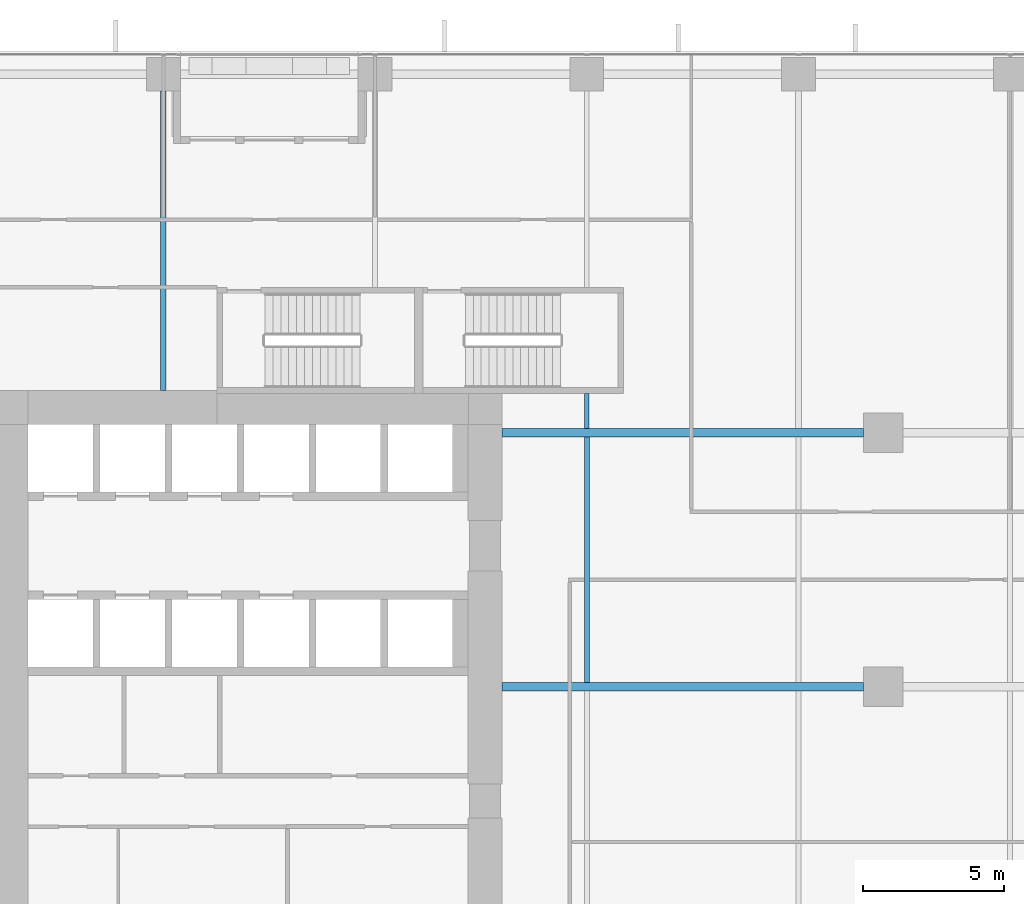
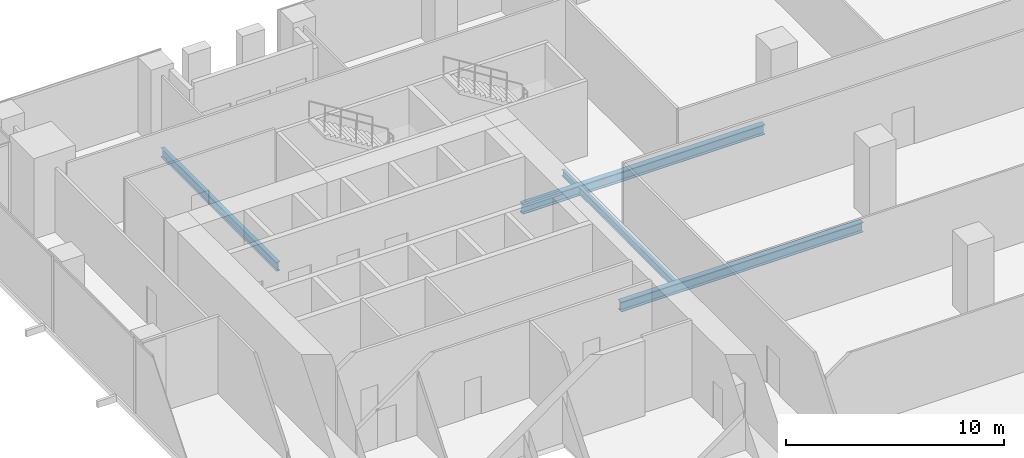
# One storey, part 13 of 32: 5 beams.
"""IFC4 building model written with IfcOpenShell, lengths in metres."""

import ifcopenshell
import ifcopenshell.guid

model = None  # the IFC model being written
_history = None  # IfcOwnerHistory: only IFC2X3 demands one
_inside = {}  # id of a spatial element -> (the spatial element, [elements in it])
_under = {}  # id of a project, library or spatial element -> (it, [spatial elements below it])
_declared = {}  # id of a project -> (the project, [libraries it declares])
_typed = {}  # id of a type object -> (the type object, [elements of that type])
_made_of = {}  # id of a material, layer set ... -> (it, [elements and type objects made of it])


def new_model(schema):
    """Start an empty IFC model of exactly this schema.

    Asked for "IFC4X3", IfcOpenShell would pick the latest addendum, in which some entities
    have other attributes; the version numbers below select the first issue.
    IFC2X3 requires an IfcOwnerHistory on every rooted entity: one is made here for all.
    """
    global model, _history
    if schema == "IFC4X3":
        model = ifcopenshell.file(schema_version=(4, 3, 0, 0))
    else:
        model = ifcopenshell.file(schema=schema)
    _inside.clear()
    _under.clear()
    _declared.clear()
    _typed.clear()
    _made_of.clear()
    _history = None
    if model.schema == "IFC2X3":
        org = make("IfcOrganization", Name="unknown")
        user = make(
            "IfcPersonAndOrganization",
            ThePerson=make("IfcPerson", FamilyName="unknown"),
            TheOrganization=org,
        )
        app = make(
            "IfcApplication",
            ApplicationDeveloper=org,
            Version="unknown",
            ApplicationFullName="unknown",
            ApplicationIdentifier="unknown",
        )
        _history = make(
            "IfcOwnerHistory",
            OwningUser=user,
            OwningApplication=app,
            ChangeAction="ADDED",
            CreationDate=0,
        )
    return model


def make(cls, **values):
    """One entity of the class cls with the attributes given. An attribute that is None is left unset."""
    return model.create_entity(
        cls, **{name: value for name, value in values.items() if value is not None}
    )


def rooted(cls, **values):
    """An entity with a GlobalId (a new one), such as an element, a storey or a relation."""
    return make(cls, GlobalId=ifcopenshell.guid.new(), OwnerHistory=_history, **values)


def si_unit(unit_type, name, prefix=None):
    """IfcSIUnit, for example si_unit("LENGTHUNIT", "METRE", prefix="MILLI")."""
    return make("IfcSIUnit", UnitType=unit_type, Prefix=prefix, Name=name)


def assignment(units):
    """IfcUnitAssignment: the units of a project."""
    return None if units is None else make("IfcUnitAssignment", Units=units)


def point(xyz):
    """IfcCartesianPoint."""
    return None if xyz is None else make("IfcCartesianPoint", Coordinates=xyz)


def direction(xyz):
    """IfcDirection."""
    return None if xyz is None else make("IfcDirection", DirectionRatios=xyz)


def frame(location, z_axis=None, x_axis=None):
    """IfcAxis2Placement3D, a coordinate frame: its origin and axes. An axis left out is left unset."""
    return make(
        "IfcAxis2Placement3D",
        Location=point(location),
        Axis=direction(z_axis),
        RefDirection=direction(x_axis),
    )


def frame_2d(location, x_axis=None):
    """IfcAxis2Placement2D, a coordinate frame in the plane: its origin and x axis."""
    return make(
        "IfcAxis2Placement2D", Location=point(location), RefDirection=direction(x_axis)
    )


def origin():
    """The frame at (0, 0, 0) with its axes left unset."""
    return frame((0.0, 0.0, 0.0))


def origin_2d():
    """The frame at (0, 0) in the plane with its x axis left unset."""
    return frame_2d((0.0, 0.0))


def place(relative_to, where):
    """IfcLocalPlacement: puts the frame where relative to a parent placement (None: the world)."""
    return make(
        "IfcLocalPlacement", PlacementRelTo=relative_to, RelativePlacement=where
    )


def context(
    kind, dimensions, precision=None, world=None, true_north=None, identifier=None
):
    """IfcGeometricRepresentationContext, for example the 3D "Model" context."""
    return make(
        "IfcGeometricRepresentationContext",
        ContextIdentifier=identifier,
        ContextType=kind,
        CoordinateSpaceDimension=dimensions,
        Precision=precision,
        WorldCoordinateSystem=world,
        TrueNorth=true_north,
    )


def subcontext(parent, identifier, kind, view, scale=None):
    """IfcGeometricRepresentationSubContext, for example "Body" below "Model"."""
    return make(
        "IfcGeometricRepresentationSubContext",
        ContextIdentifier=identifier,
        ContextType=kind,
        ParentContext=parent,
        TargetScale=scale,
        TargetView=view,
    )


def project(units=None, contexts=None):
    """IfcProject with its units and contexts."""
    return rooted(
        "IfcProject",
        Name="project",
        RepresentationContexts=contexts,
        UnitsInContext=assignment(units),
    )


def spatial(cls, under=None, at=None, **own):
    """A site, building, storey or space (cls), placed at a placement, below another one or the project."""
    s = rooted(cls, ObjectPlacement=at, **own)
    if under is not None:
        _under.setdefault(under.id(), (under, []))[1].append(s)
    return s


def profile(cls, at=None, kind="AREA", **sizes):
    """A parametric profile (cls). Its sizes go by their IFC names, for example OverallWidth=200.0."""
    return make(cls, ProfileType=kind, Position=at, **sizes)


def i_section(**sizes):
    """IfcIShapeProfileDef."""
    return profile("IfcIShapeProfileDef", **sizes)


def extrude(swept, where, along, depth):
    """IfcExtrudedAreaSolid: the profile swept, set in the frame where, extruded along a direction by depth."""
    return make(
        "IfcExtrudedAreaSolid",
        SweptArea=swept,
        Position=where,
        ExtrudedDirection=direction(along),
        Depth=depth,
    )


def shape(context_of_items, identifier, shape_type, items):
    """IfcShapeRepresentation: the items that make up one representation, for example the "Body"."""
    return make(
        "IfcShapeRepresentation",
        ContextOfItems=context_of_items,
        RepresentationIdentifier=identifier,
        RepresentationType=shape_type,
        Items=items,
    )


def source(mapping_origin, context_of_items, identifier, shape_type, items):
    """IfcRepresentationMap: a shape defined once, which mapped items show again and again."""
    return make(
        "IfcRepresentationMap",
        MappingOrigin=mapping_origin,
        MappedRepresentation=shape(context_of_items, identifier, shape_type, items),
    )


def transform(
    local_origin,
    x_axis=None,
    y_axis=None,
    z_axis=None,
    scale=None,
    scale2=None,
    scale3=None,
    uniform=True,
):
    """IfcCartesianTransformationOperator3D, or its non-uniform kind. x_axis, y_axis, z_axis: its Axis1, 2, 3."""
    if uniform:
        return make(
            "IfcCartesianTransformationOperator3D",
            Axis1=direction(x_axis),
            Axis2=direction(y_axis),
            LocalOrigin=point(local_origin),
            Scale=scale,
            Axis3=direction(z_axis),
        )
    return make(
        "IfcCartesianTransformationOperator3DnonUniform",
        Axis1=direction(x_axis),
        Axis2=direction(y_axis),
        LocalOrigin=point(local_origin),
        Scale=scale,
        Axis3=direction(z_axis),
        Scale2=scale2,
        Scale3=scale3,
    )


def mapped(mapping_source, mapping_target):
    """IfcMappedItem: shows the shape of a source again, moved by a transform."""
    return make(
        "IfcMappedItem", MappingSource=mapping_source, MappingTarget=mapping_target
    )


def material(Name=None, Category=None):
    """IfcMaterial."""
    return make("IfcMaterial", Name=Name, Category=Category)


def material_profile(
    of_material, cross_section, Name=None, Category=None, Priority=None
):
    """IfcMaterialProfile: a cross section and its material."""
    return make(
        "IfcMaterialProfile",
        Name=Name,
        Material=of_material,
        Profile=cross_section,
        Priority=Priority,
        Category=Category,
    )


def profile_set(profiles, Name=None, composite=None):
    """IfcMaterialProfileSet."""
    return make(
        "IfcMaterialProfileSet",
        Name=Name,
        MaterialProfiles=profiles,
        CompositeProfile=composite,
    )


def made_of(thing, what):
    """Note that an element or type object is made of a material, layer set ...; save() writes the relation."""
    if what is not None:
        _made_of.setdefault(what.id(), (what, []))[1].append(thing)
    return thing


def type_object(cls, material=None, **own):
    """A type object (cls), such as IfcWallType, which elements share."""
    return made_of(rooted(cls, **own), material)


def element(
    cls,
    number,
    at=None,
    inside=None,
    cuts=None,
    type_object=None,
    material=None,
    context=None,
    identifier="Body",
    shape_type=None,
    held_by="IfcProductDefinitionShape",
    body=None,
    shapes=None,
    **own,
):
    """One element of the class cls, such as IfcWall. Its Tag is "e" and its number.

    at: its placement. inside: the storey or other place that contains it. cuts: it is an
    opening in that element (IfcRelVoidsElement). A single representation is given by context,
    identifier, shape_type and body (its items); several are given by shapes. held_by: the class
    of the entity that holds the representations. save() writes the other relations.
    """
    e = rooted(cls, Tag="e%d" % number, ObjectPlacement=at, **own)
    if body is not None:
        shapes = [shape(context, identifier, shape_type, body)]
    if shapes is not None:
        e.Representation = make(held_by, Representations=shapes)
    if inside is not None:
        _inside.setdefault(inside.id(), (inside, []))[1].append(e)
    if cuts is not None:
        rooted(
            "IfcRelVoidsElement", RelatingBuildingElement=cuts, RelatedOpeningElement=e
        )
    if type_object is not None:
        _typed.setdefault(type_object.id(), (type_object, []))[1].append(e)
    return made_of(e, material)


def aggregate(whole, parts):
    """IfcRelAggregates: a whole, such as a stair, and the parts it consists of."""
    return rooted("IfcRelAggregates", RelatingObject=whole, RelatedObjects=parts)


def save(model, path):
    """Write the relations noted so far, then the file.

    IfcRelAggregates (storeys below a building ...), IfcRelContainedInSpatialStructure (elements
    in a storey), IfcRelDefinesByType, IfcRelAssociatesMaterial and IfcRelDeclares: one each for
    every whole, place, type object, material and project.
    """
    for whole, parts in _under.values():
        aggregate(whole, parts)
    for where, things in _inside.values():
        rooted(
            "IfcRelContainedInSpatialStructure",
            RelatedElements=things,
            RelatingStructure=where,
        )
    for kind, things in _typed.values():
        rooted("IfcRelDefinesByType", RelatedObjects=things, RelatingType=kind)
    for what, things in _made_of.values():
        rooted("IfcRelAssociatesMaterial", RelatedObjects=things, RelatingMaterial=what)
    for by, libraries in _declared.values():
        rooted("IfcRelDeclares", RelatingContext=by, RelatedDefinitions=libraries)
    model.write(path)


model = new_model("IFC4")

# Units and contexts
model_context = context("Model", 3, precision=1e-05, world=origin(), true_north=direction((0.0, 1.0)))
body_context = subcontext(model_context, "Body", "Model", "MODEL_VIEW")
ifc_project = project(units=[si_unit("LENGTHUNIT", "METRE"), si_unit("AREAUNIT", "SQUARE_METRE"), si_unit("VOLUMEUNIT", "CUBIC_METRE"), si_unit("PLANEANGLEUNIT", "RADIAN"), si_unit("MASSUNIT", "GRAM", prefix="KILO")], contexts=[model_context])

# Site, building, storey
site_placement = place(None, origin())
site = spatial("IfcSite", under=ifc_project, at=site_placement, CompositionType="ELEMENT")
building_placement = place(site_placement, origin())
building = spatial("IfcBuilding", under=site, at=building_placement, Name="Khomas Fold Tower", CompositionType="ELEMENT")
storey_placement = place(building_placement, frame((0.0, 0.0, 37.5)))
storey = spatial("IfcBuildingStorey", under=building, at=storey_placement, Name="L07", CompositionType="ELEMENT", Elevation=37.5)

# Beams
ifc_material_1 = material(Name="Steel S355", Category="steel")
ifc_material_profile_1 = material_profile(ifc_material_1, i_section(OverallWidth=0.300048828125, OverallDepth=0.550048828125, WebThickness=0.014892578125, FlangeThickness=0.029052734375, at=origin_2d()), Name="HE 550 B")
ifc_profile_set_1 = profile_set([ifc_material_profile_1], Name="Steel S355")
beam_type_1 = type_object("IfcBeamType", Name="HE 550 B beam GB4", PredefinedType="BEAM", material=ifc_profile_set_1)
shared_shape_1 = source(origin(), body_context, "Body", "SweptSolid", [
    extrude(i_section(OverallWidth=0.300048828125, OverallDepth=0.550048828125, WebThickness=0.014892578125, FlangeThickness=0.029052734375, at=origin_2d()), origin(), (0.0, 0.0, 1.0), 12.800048828125),
])
for number, where, z_axis, x_axis, name in (
    (1, (24.0, 31.5, -0.574951171875), (1.0, 0.0, 0.0), (0.0, 1.0, 0.0), "GB4"),
    (2, (24.0, 40.5, -0.574951171875), (1.0, 0.0, 0.0), (0.0, 1.0, 0.0), "GB4"),
):
    element("IfcBeam", number, at=place(storey_placement, frame(where, z_axis=z_axis, x_axis=x_axis)), inside=storey, type_object=beam_type_1, Name=name, PredefinedType="BEAM", context=body_context, shape_type="MappedRepresentation", body=[
        mapped(shared_shape_1, transform((0.0, 0.0, 0.0))),
    ])
ifc_material_2 = material(Name="Steel S355", Category="steel")
ifc_material_profile_2 = material_profile(ifc_material_2, i_section(OverallWidth=0.199951171875, OverallDepth=0.5, WebThickness=0.01025390625, FlangeThickness=0.01611328125, at=origin_2d()), Name="IPE 500")
ifc_profile_set_2 = profile_set([ifc_material_profile_2], Name="Steel S355")
beam_type_2 = type_object("IfcBeamType", Name="IPE 500 beam JB5", PredefinedType="BEAM", material=ifc_profile_set_2)
shared_shape_2 = source(origin(), body_context, "Body", "SweptSolid", [
    extrude(i_section(OverallWidth=0.199951171875, OverallDepth=0.5, WebThickness=0.01025390625, FlangeThickness=0.01611328125, at=origin_2d()), origin(), (0.0, 0.0, 1.0), 10.60009765625),
])
beam_1_placement = place(storey_placement, frame((12.0, 42.0, -0.550048828125), z_axis=(0.0, 1.0, 0.0), x_axis=(-1.0, 0.0, 0.0)))
element("IfcBeam", 3, at=beam_1_placement, inside=storey, type_object=beam_type_2, Name="JB5", PredefinedType="BEAM", context=body_context, shape_type="MappedRepresentation", body=[
    mapped(shared_shape_2, transform((0.0, 0.0, 0.0))),
])
ifc_material_3 = material(Name="Steel S355", Category="steel")
ifc_material_profile_3 = material_profile(ifc_material_3, i_section(OverallWidth=0.179931640625, OverallDepth=0.39990234375, WebThickness=0.008544921875, FlangeThickness=0.013427734375, at=origin_2d()), Name="IPE 400")
ifc_profile_set_3 = profile_set([ifc_material_profile_3], Name="Steel S355")
beam_type_3 = type_object("IfcBeamType", Name="IPE 400 beam JB3", PredefinedType="BEAM", material=ifc_profile_set_3)
shared_shape_3 = source(origin(), body_context, "Body", "SweptSolid", [
    extrude(i_section(OverallWidth=0.179931640625, OverallDepth=0.39990234375, WebThickness=0.008544921875, FlangeThickness=0.013427734375, at=origin_2d()), origin(), (0.0, 0.0, 1.0), 8.7001953125),
])
beam_2_placement = place(storey_placement, frame((27.0, 31.64990234375, -0.5), z_axis=(0.0, 1.0, 0.0), x_axis=(-1.0, 0.0, 0.0)))
element("IfcBeam", 4, at=beam_2_placement, inside=storey, type_object=beam_type_3, Name="JB3", PredefinedType="BEAM", context=body_context, shape_type="MappedRepresentation", body=[
    mapped(shared_shape_3, transform((0.0, 0.0, 0.0))),
])
ifc_material_4 = material(Name="Steel S355", Category="steel")
ifc_material_profile_4 = material_profile(ifc_material_4, i_section(OverallWidth=0.159912109375, OverallDepth=0.330078125, WebThickness=0.007568359375, FlangeThickness=0.011474609375, at=origin_2d()), Name="IPE 330")
ifc_profile_set_4 = profile_set([ifc_material_profile_4], Name="Steel S355")
beam_type_4 = type_object("IfcBeamType", Name="IPE 330 beam JB1", PredefinedType="BEAM", material=ifc_profile_set_4)
shared_shape_4 = source(origin(), body_context, "Body", "SweptSolid", [
    extrude(i_section(OverallWidth=0.159912109375, OverallDepth=0.330078125, WebThickness=0.007568359375, FlangeThickness=0.011474609375, at=origin_2d()), origin(), (0.0, 0.0, 1.0), 1.25),
])
beam_3_placement = place(storey_placement, frame((27.0, 40.64990234375, -0.465087890625), z_axis=(0.0, 1.0, 0.0), x_axis=(-1.0, 0.0, 0.0)))
element("IfcBeam", 5, at=beam_3_placement, inside=storey, type_object=beam_type_4, Name="JB1", PredefinedType="BEAM", context=body_context, shape_type="MappedRepresentation", body=[
    mapped(shared_shape_4, transform((0.0, 0.0, 0.0))),
])

save(model, "model.ifc")
